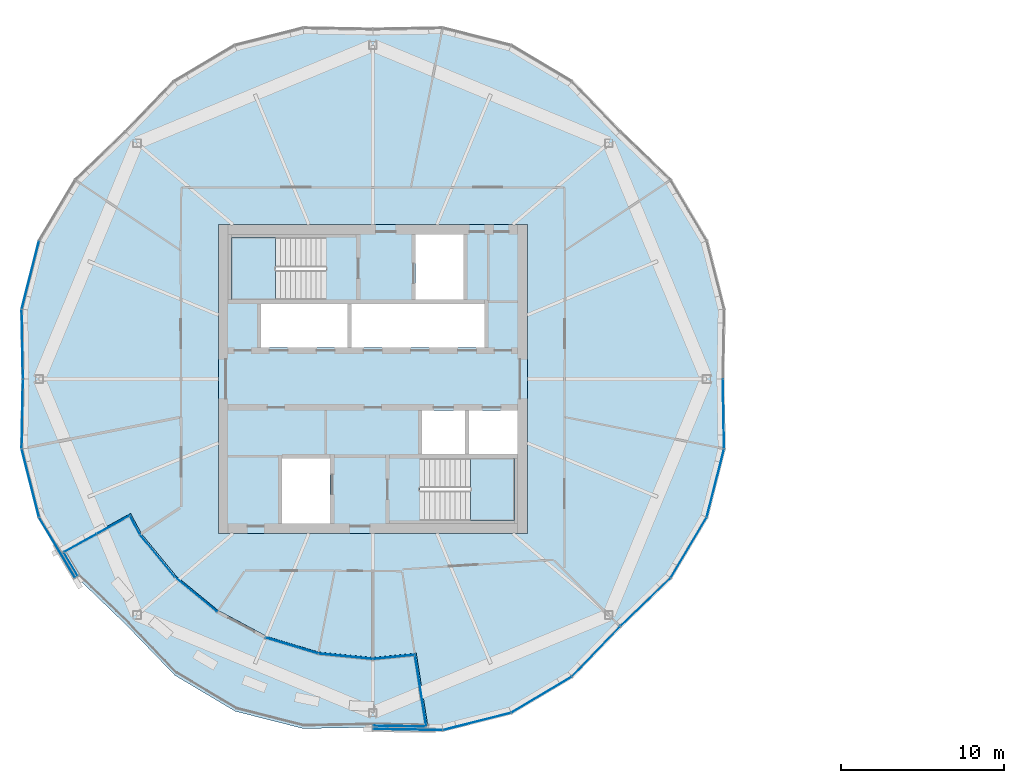
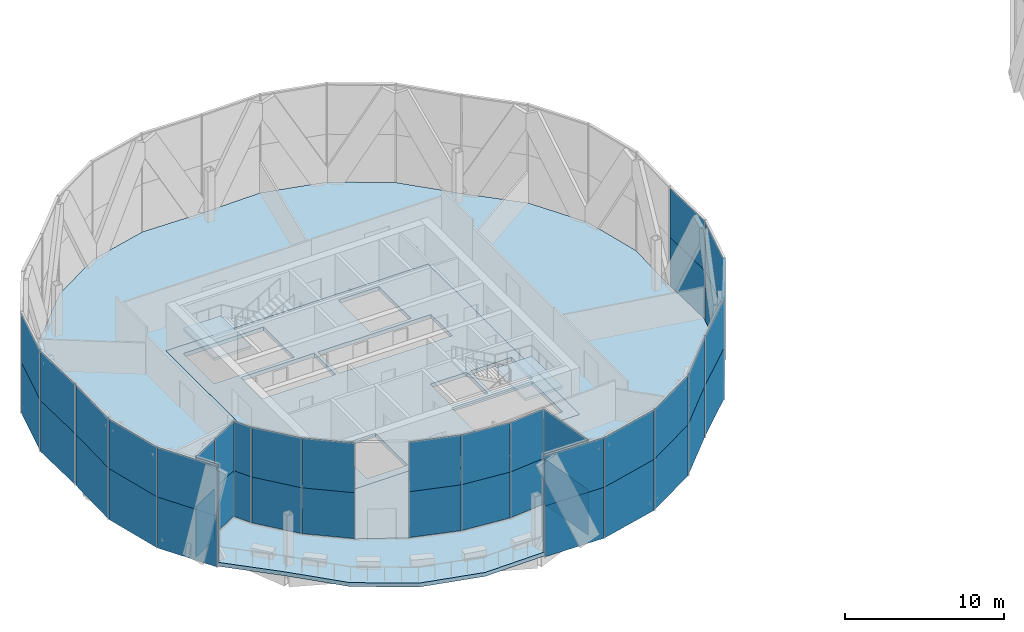
# One storey, part 16 of 27: 48 plates, 5 slabs, 13 elements without a shape of their own.
"""IFC4 building model written with IfcOpenShell, lengths in metres."""

import ifcopenshell
import ifcopenshell.guid

model = None  # the IFC model being written
_history = None  # IfcOwnerHistory: only IFC2X3 demands one
_inside = {}  # id of a spatial element -> (the spatial element, [elements in it])
_under = {}  # id of a project, library or spatial element -> (it, [spatial elements below it])
_declared = {}  # id of a project -> (the project, [libraries it declares])
_typed = {}  # id of a type object -> (the type object, [elements of that type])
_made_of = {}  # id of a material, layer set ... -> (it, [elements and type objects made of it])


def new_model(schema):
    """Start an empty IFC model of exactly this schema.

    Asked for "IFC4X3", IfcOpenShell would pick the latest addendum, in which some entities
    have other attributes; the version numbers below select the first issue.
    IFC2X3 requires an IfcOwnerHistory on every rooted entity: one is made here for all.
    """
    global model, _history
    if schema == "IFC4X3":
        model = ifcopenshell.file(schema_version=(4, 3, 0, 0))
    else:
        model = ifcopenshell.file(schema=schema)
    _inside.clear()
    _under.clear()
    _declared.clear()
    _typed.clear()
    _made_of.clear()
    _history = None
    if model.schema == "IFC2X3":
        org = make("IfcOrganization", Name="unknown")
        user = make(
            "IfcPersonAndOrganization",
            ThePerson=make("IfcPerson", FamilyName="unknown"),
            TheOrganization=org,
        )
        app = make(
            "IfcApplication",
            ApplicationDeveloper=org,
            Version="unknown",
            ApplicationFullName="unknown",
            ApplicationIdentifier="unknown",
        )
        _history = make(
            "IfcOwnerHistory",
            OwningUser=user,
            OwningApplication=app,
            ChangeAction="ADDED",
            CreationDate=0,
        )
    return model


def make(cls, **values):
    """One entity of the class cls with the attributes given. An attribute that is None is left unset."""
    return model.create_entity(
        cls, **{name: value for name, value in values.items() if value is not None}
    )


def rooted(cls, **values):
    """An entity with a GlobalId (a new one), such as an element, a storey or a relation."""
    return make(cls, GlobalId=ifcopenshell.guid.new(), OwnerHistory=_history, **values)


def si_unit(unit_type, name, prefix=None):
    """IfcSIUnit, for example si_unit("LENGTHUNIT", "METRE", prefix="MILLI")."""
    return make("IfcSIUnit", UnitType=unit_type, Prefix=prefix, Name=name)


def assignment(units):
    """IfcUnitAssignment: the units of a project."""
    return None if units is None else make("IfcUnitAssignment", Units=units)


def point(xyz):
    """IfcCartesianPoint."""
    return None if xyz is None else make("IfcCartesianPoint", Coordinates=xyz)


def direction(xyz):
    """IfcDirection."""
    return None if xyz is None else make("IfcDirection", DirectionRatios=xyz)


def frame(location, z_axis=None, x_axis=None):
    """IfcAxis2Placement3D, a coordinate frame: its origin and axes. An axis left out is left unset."""
    return make(
        "IfcAxis2Placement3D",
        Location=point(location),
        Axis=direction(z_axis),
        RefDirection=direction(x_axis),
    )


def frame_2d(location, x_axis=None):
    """IfcAxis2Placement2D, a coordinate frame in the plane: its origin and x axis."""
    return make(
        "IfcAxis2Placement2D", Location=point(location), RefDirection=direction(x_axis)
    )


def origin():
    """The frame at (0, 0, 0) with its axes left unset."""
    return frame((0.0, 0.0, 0.0))


def origin_2d():
    """The frame at (0, 0) in the plane with its x axis left unset."""
    return frame_2d((0.0, 0.0))


def place(relative_to, where):
    """IfcLocalPlacement: puts the frame where relative to a parent placement (None: the world)."""
    return make(
        "IfcLocalPlacement", PlacementRelTo=relative_to, RelativePlacement=where
    )


def context(
    kind, dimensions, precision=None, world=None, true_north=None, identifier=None
):
    """IfcGeometricRepresentationContext, for example the 3D "Model" context."""
    return make(
        "IfcGeometricRepresentationContext",
        ContextIdentifier=identifier,
        ContextType=kind,
        CoordinateSpaceDimension=dimensions,
        Precision=precision,
        WorldCoordinateSystem=world,
        TrueNorth=true_north,
    )


def subcontext(parent, identifier, kind, view, scale=None):
    """IfcGeometricRepresentationSubContext, for example "Body" below "Model"."""
    return make(
        "IfcGeometricRepresentationSubContext",
        ContextIdentifier=identifier,
        ContextType=kind,
        ParentContext=parent,
        TargetScale=scale,
        TargetView=view,
    )


def project(units=None, contexts=None):
    """IfcProject with its units and contexts."""
    return rooted(
        "IfcProject",
        Name="project",
        RepresentationContexts=contexts,
        UnitsInContext=assignment(units),
    )


def spatial(cls, under=None, at=None, **own):
    """A site, building, storey or space (cls), placed at a placement, below another one or the project."""
    s = rooted(cls, ObjectPlacement=at, **own)
    if under is not None:
        _under.setdefault(under.id(), (under, []))[1].append(s)
    return s


def polyline(points):
    """IfcPolyline through the points."""
    return make("IfcPolyline", Points=[point(p) for p in points])


def profile(cls, at=None, kind="AREA", **sizes):
    """A parametric profile (cls). Its sizes go by their IFC names, for example OverallWidth=200.0."""
    return make(cls, ProfileType=kind, Position=at, **sizes)


def rectangle(**sizes):
    """IfcRectangleProfileDef."""
    return profile("IfcRectangleProfileDef", **sizes)


def outline(outer, holes=None, kind="AREA"):
    """IfcArbitraryClosedProfileDef: a profile drawn as a closed curve; with holes, ...WithVoids."""
    if holes is None:
        return make("IfcArbitraryClosedProfileDef", ProfileType=kind, OuterCurve=outer)
    return make(
        "IfcArbitraryProfileDefWithVoids",
        ProfileType=kind,
        OuterCurve=outer,
        InnerCurves=holes,
    )


def extrude(swept, where, along, depth):
    """IfcExtrudedAreaSolid: the profile swept, set in the frame where, extruded along a direction by depth."""
    return make(
        "IfcExtrudedAreaSolid",
        SweptArea=swept,
        Position=where,
        ExtrudedDirection=direction(along),
        Depth=depth,
    )


def shape(context_of_items, identifier, shape_type, items):
    """IfcShapeRepresentation: the items that make up one representation, for example the "Body"."""
    return make(
        "IfcShapeRepresentation",
        ContextOfItems=context_of_items,
        RepresentationIdentifier=identifier,
        RepresentationType=shape_type,
        Items=items,
    )


def material(Name=None, Category=None):
    """IfcMaterial."""
    return make("IfcMaterial", Name=Name, Category=Category)


def layer(
    of_material, thickness, ventilated=None, Name=None, Category=None, Priority=None
):
    """IfcMaterialLayer: one layer of a wall or slab, of a material (None: an air gap)."""
    return make(
        "IfcMaterialLayer",
        Material=of_material,
        LayerThickness=thickness,
        IsVentilated=ventilated,
        Name=Name,
        Category=Category,
        Priority=Priority,
    )


def layer_set(layers, Name=None):
    """IfcMaterialLayerSet."""
    return make("IfcMaterialLayerSet", MaterialLayers=layers, LayerSetName=Name)


def made_of(thing, what):
    """Note that an element or type object is made of a material, layer set ...; save() writes the relation."""
    if what is not None:
        _made_of.setdefault(what.id(), (what, []))[1].append(thing)
    return thing


def type_object(cls, material=None, **own):
    """A type object (cls), such as IfcWallType, which elements share."""
    return made_of(rooted(cls, **own), material)


def element(
    cls,
    number,
    at=None,
    inside=None,
    cuts=None,
    type_object=None,
    material=None,
    context=None,
    identifier="Body",
    shape_type=None,
    held_by="IfcProductDefinitionShape",
    body=None,
    shapes=None,
    **own,
):
    """One element of the class cls, such as IfcWall. Its Tag is "e" and its number.

    at: its placement. inside: the storey or other place that contains it. cuts: it is an
    opening in that element (IfcRelVoidsElement). A single representation is given by context,
    identifier, shape_type and body (its items); several are given by shapes. held_by: the class
    of the entity that holds the representations. save() writes the other relations.
    """
    e = rooted(cls, Tag="e%d" % number, ObjectPlacement=at, **own)
    if body is not None:
        shapes = [shape(context, identifier, shape_type, body)]
    if shapes is not None:
        e.Representation = make(held_by, Representations=shapes)
    if inside is not None:
        _inside.setdefault(inside.id(), (inside, []))[1].append(e)
    if cuts is not None:
        rooted(
            "IfcRelVoidsElement", RelatingBuildingElement=cuts, RelatedOpeningElement=e
        )
    if type_object is not None:
        _typed.setdefault(type_object.id(), (type_object, []))[1].append(e)
    return made_of(e, material)


def aggregate(whole, parts):
    """IfcRelAggregates: a whole, such as a stair, and the parts it consists of."""
    return rooted("IfcRelAggregates", RelatingObject=whole, RelatedObjects=parts)


def save(model, path):
    """Write the relations noted so far, then the file.

    IfcRelAggregates (storeys below a building ...), IfcRelContainedInSpatialStructure (elements
    in a storey), IfcRelDefinesByType, IfcRelAssociatesMaterial and IfcRelDeclares: one each for
    every whole, place, type object, material and project.
    """
    for whole, parts in _under.values():
        aggregate(whole, parts)
    for where, things in _inside.values():
        rooted(
            "IfcRelContainedInSpatialStructure",
            RelatedElements=things,
            RelatingStructure=where,
        )
    for kind, things in _typed.values():
        rooted("IfcRelDefinesByType", RelatedObjects=things, RelatingType=kind)
    for what, things in _made_of.values():
        rooted("IfcRelAssociatesMaterial", RelatedObjects=things, RelatingMaterial=what)
    for by, libraries in _declared.values():
        rooted("IfcRelDeclares", RelatingContext=by, RelatedDefinitions=libraries)
    model.write(path)


model = new_model("IFC4")

# Units and contexts
model_context = context("Model", 3, precision=1e-05, world=origin(), true_north=direction((0.0, 1.0)))
body_context = subcontext(model_context, "Body", "Model", "MODEL_VIEW")
ifc_project = project(units=[si_unit("LENGTHUNIT", "METRE"), si_unit("AREAUNIT", "SQUARE_METRE"), si_unit("VOLUMEUNIT", "CUBIC_METRE"), si_unit("PLANEANGLEUNIT", "RADIAN"), si_unit("MASSUNIT", "GRAM", prefix="KILO")], contexts=[model_context])

# Site, building, storey
site_placement = place(None, origin())
site = spatial("IfcSite", under=ifc_project, at=site_placement, CompositionType="ELEMENT")
building_placement = place(site_placement, origin())
building = spatial("IfcBuilding", under=site, at=building_placement, Name="Ogive Gate Towers", CompositionType="ELEMENT")
storey_placement = place(building_placement, frame((0.0, 0.0, 189.0)))
storey = spatial("IfcBuildingStorey", under=building, at=storey_placement, Name="L45", CompositionType="ELEMENT", Elevation=189.0)

# Slabs
ifc_material_1 = material(Name="Concrete C40/50", Category="concrete")
ifc_layer_1 = layer(ifc_material_1, 0.300048828125)
ifc_layer_set_1 = layer_set([ifc_layer_1], Name="Core slab C40/50 300 mm")
slab_type_1 = type_object("IfcSlabType", Name="Core slab C40/50 300 mm", PredefinedType="FLOOR", material=ifc_layer_set_1)
slab_1_placement = place(storey_placement, frame((0.0, 0.0, -0.300048828125)))
element("IfcSlab", 1, at=slab_1_placement, inside=storey, type_object=slab_type_1, Name="T1 L45 core slab", PredefinedType="FLOOR", context=body_context, shape_type="SweptSolid", body=[
    extrude(outline(polyline([(-45.5, -9.5), (-45.5, 9.5), (-26.5, 9.5), (-26.5, -9.5), (-45.5, -9.5)]), holes=[polyline([(-42.875, 1.949951171875), (-37.574951171875, 1.949951171875), (-37.574951171875, 4.625), (-42.875, 4.625), (-42.875, 1.949951171875)]), polyline([(-37.324951171875, 4.625), (-37.324951171875, 1.949951171875), (-29.125, 1.949951171875), (-29.125, 4.625), (-37.324951171875, 4.625)]), polyline([(-30.324951171875, -1.949951171875), (-32.97509765625, -1.949951171875), (-32.97509765625, -4.625), (-30.324951171875, -4.625), (-30.324951171875, -1.949951171875)]), polyline([(-27.10009765625, -4.625), (-27.10009765625, -1.949951171875), (-30.074951171875, -1.949951171875), (-30.074951171875, -4.625), (-27.10009765625, -4.625)]), polyline([(-33.375, 4.875), (-30.425048828125, 4.875), (-30.425048828125, 8.89990234375), (-33.375, 8.89990234375), (-33.375, 4.875)]), polyline([(-41.574951171875, -4.875), (-41.574951171875, -8.89990234375), (-38.625, -8.89990234375), (-38.625, -4.875), (-41.574951171875, -4.875)]), polyline([(-44.699951171875, 4.875), (-38.885009765625, 4.875), (-38.885009765625, 8.699951171875), (-44.699951171875, 8.699951171875), (-44.699951171875, 4.875)]), polyline([(-27.300048828125, -8.699951171875), (-27.300048828125, -4.875), (-33.114990234375, -4.875), (-33.114990234375, -8.699951171875), (-27.300048828125, -8.699951171875)])]), origin(), (0.0, 0.0, 1.0), 0.300048828125),
])
ifc_material_2 = material(Name="Concrete C35/45", Category="concrete")
ifc_layer_2 = layer(ifc_material_2, 0.300048828125)
ifc_layer_set_2 = layer_set([ifc_layer_2], Name="Floor slab 300")
slab_type_2 = type_object("IfcSlabType", Name="Floor slab 300", PredefinedType="FLOOR", material=ifc_layer_set_2)
slab_2_placement = place(storey_placement, frame((0.0, 0.0, -0.300048828125)))
element("IfcSlab", 2, at=slab_2_placement, inside=storey, type_object=slab_type_2, Name="T1/L45/SSL001", PredefinedType="FLOOR", context=body_context, shape_type="SweptSolid", body=[
    extrude(outline(polyline([(-57.498779296875, -4.2763671875), (-56.436279296875, -8.46484375), (-54.225830078125, -12.177978515625), (-55.15478515625, -10.61767578125), (-50.903076171875, -8.260986328125), (-50.23486328125, -9.511474609375), (-48.105712890625, -12.105712890625), (-45.511474609375, -14.23486328125), (-42.551513671875, -15.81689453125), (-39.33984375, -16.791015625), (-36.0, -17.1201171875), (-33.330078125, -16.85693359375), (-32.597412109375, -21.482666015625), (-36.0, -21.419921875), (-31.7236328125, -21.498779296875), (-27.53515625, -20.436279296875), (-23.822021484375, -18.225830078125), (-20.853759765625, -15.146240234375), (-17.774169921875, -12.177978515625), (-15.563720703125, -8.46484375), (-14.501220703125, -4.2763671875), (-14.580078125, 0.0), (-14.501220703125, 4.2763671875), (-15.563720703125, 8.46484375), (-17.774169921875, 12.177978515625), (-20.853759765625, 15.146240234375), (-23.822021484375, 18.225830078125), (-27.53515625, 20.436279296875), (-31.7236328125, 21.498779296875), (-36.0, 21.419921875), (-40.2763671875, 21.498779296875), (-44.46484375, 20.436279296875), (-48.177978515625, 18.225830078125), (-51.146240234375, 15.146240234375), (-54.225830078125, 12.177978515625), (-56.436279296875, 8.46484375), (-57.498779296875, 4.2763671875), (-57.419921875, 0.0), (-57.498779296875, -4.2763671875)]), holes=[polyline([(-26.5, -9.5), (-45.5, -9.5), (-45.5, 9.5), (-26.5, 9.5), (-26.5, -9.5)])]), origin(), (0.0, 0.0, 1.0), 0.300048828125),
])

# Curtain wall, plates
ifc_material_3 = material(Name="Pale metal aluminium", Category="aluminium")
curtain_wall_type_1 = type_object("IfcCurtainWallType", Name="Sky garden glazing", PredefinedType="NOTDEFINED", material=ifc_material_3)
curtain_wall_1_placement = place(storey_placement, origin())
curtain_wall_1 = element("IfcCurtainWall", 3, at=curtain_wall_1_placement, inside=storey, type_object=curtain_wall_type_1, Name="CW4 T1 ECW01", PredefinedType="NOTDEFINED")
ifc_material_4 = material(Name="Clear glass", Category="glass")
ifc_layer_3 = layer(ifc_material_4, 0.028076171875)
ifc_layer_set_3 = layer_set([ifc_layer_3], Name="Sky garden glazing glass panel")
plate_type_1 = type_object("IfcPlateType", Name="Sky garden glazing glass panel", PredefinedType="CURTAIN_PANEL", material=ifc_layer_set_3)
plate_1_placement = place(storey_placement, frame((-49.246337890625, -10.873291015625, 0.095947265625), z_axis=(0.0, 0.0, 1.0), x_axis=(-0.634406775645, 0.772999380993, 0.0)))
plate_1 = element("IfcPlate", 4, at=plate_1_placement, type_object=plate_type_1, Name="CW4 glass panel", PredefinedType="CURTAIN_PANEL", context=body_context, shape_type="SweptSolid", body=[
    extrude(rectangle(XDim=3.328369140625, YDim=0.028076171875, at=origin_2d()), origin(), (0.0, 0.0, 1.0), 3.50390625),
])
plate_2_placement = place(storey_placement, frame((-49.246337890625, -10.873291015625, 3.60009765625), z_axis=(0.0, 0.0, 1.0), x_axis=(-0.634406775645, 0.772999380993, 0.0)))
plate_2 = element("IfcPlate", 5, at=plate_2_placement, type_object=plate_type_1, Name="CW4 glass panel", PredefinedType="CURTAIN_PANEL", context=body_context, shape_type="SweptSolid", body=[
    extrude(rectangle(XDim=3.328369140625, YDim=0.028076171875, at=origin_2d()), origin(), (0.0, 0.0, 1.0), 3.803955078125),
])
plate_3_placement = place(storey_placement, frame((-50.6279296875, -8.988037109375, 0.095947265625), z_axis=(0.0, 0.0, 1.0), x_axis=(-0.471412129184, 0.881913036789, 0.0)))
plate_3 = element("IfcPlate", 6, at=plate_3_placement, type_object=plate_type_1, Name="CW4 glass panel", PredefinedType="CURTAIN_PANEL", context=body_context, shape_type="SweptSolid", body=[
    extrude(rectangle(XDim=1.2626953125, YDim=0.028076171875, at=origin_2d()), origin(), (0.0, 0.0, 1.0), 3.50390625),
])
plate_4_placement = place(storey_placement, frame((-50.6279296875, -8.988037109375, 3.60009765625), z_axis=(0.0, 0.0, 1.0), x_axis=(-0.471412129184, 0.881913036789, 0.0)))
plate_4 = element("IfcPlate", 7, at=plate_4_placement, type_object=plate_type_1, Name="CW4 glass panel", PredefinedType="CURTAIN_PANEL", context=body_context, shape_type="SweptSolid", body=[
    extrude(rectangle(XDim=1.2626953125, YDim=0.028076171875, at=origin_2d()), origin(), (0.0, 0.0, 1.0), 3.803955078125),
])
plate_5_placement = place(storey_placement, frame((-51.96875, -8.9658203125, 0.095947265625), z_axis=(0.0, 0.0, 1.0), x_axis=(-0.874611245482, -0.484824885166, 0.0)))
plate_5 = element("IfcPlate", 8, at=plate_5_placement, type_object=plate_type_1, Name="CW4 glass panel", PredefinedType="CURTAIN_PANEL", context=body_context, shape_type="SweptSolid", body=[
    extrude(rectangle(XDim=2.26806640625, YDim=0.028076171875, at=origin_2d()), origin(), (0.0, 0.0, 1.0), 3.50390625),
])
plate_6_placement = place(storey_placement, frame((-51.96875, -8.9658203125, 3.60009765625), z_axis=(0.0, 0.0, 1.0), x_axis=(-0.874611245482, -0.484824885166, 0.0)))
plate_6 = element("IfcPlate", 9, at=plate_6_placement, type_object=plate_type_1, Name="CW4 glass panel", PredefinedType="CURTAIN_PANEL", context=body_context, shape_type="SweptSolid", body=[
    extrude(rectangle(XDim=2.26806640625, YDim=0.028076171875, at=origin_2d()), origin(), (0.0, 0.0, 1.0), 3.803955078125),
])
aggregate(curtain_wall_1, [plate_1, plate_2, plate_3, plate_4, plate_5, plate_6])

curtain_wall_2_placement = place(storey_placement, origin())
curtain_wall_2 = element("IfcCurtainWall", 10, at=curtain_wall_2_placement, inside=storey, type_object=curtain_wall_type_1, Name="CW4 T1 ECW02", PredefinedType="NOTDEFINED")
plate_7_placement = place(storey_placement, frame((-37.677978515625, -17.05517578125, 0.095947265625), z_axis=(0.0, 0.0, 1.0), x_axis=(-0.995184726672, 0.09801714033, 0.0)))
plate_7 = element("IfcPlate", 11, at=plate_7_placement, type_object=plate_type_1, Name="CW4 glass panel", PredefinedType="CURTAIN_PANEL", context=body_context, shape_type="SweptSolid", body=[
    extrude(rectangle(XDim=3.328369140625, YDim=0.028076171875, at=origin_2d()), origin(), (0.0, 0.0, 1.0), 3.50390625),
])
plate_8_placement = place(storey_placement, frame((-37.677978515625, -17.05517578125, 3.60009765625), z_axis=(0.0, 0.0, 1.0), x_axis=(-0.995184726672, 0.09801714033, 0.0)))
plate_8 = element("IfcPlate", 12, at=plate_8_placement, type_object=plate_type_1, Name="CW4 glass panel", PredefinedType="CURTAIN_PANEL", context=body_context, shape_type="SweptSolid", body=[
    extrude(rectangle(XDim=3.328369140625, YDim=0.028076171875, at=origin_2d()), origin(), (0.0, 0.0, 1.0), 3.803955078125),
])
plate_9_placement = place(storey_placement, frame((-40.976318359375, -16.399169921875, 0.095947265625), z_axis=(0.0, 0.0, 1.0), x_axis=(-0.95694540201, 0.290267975451, 0.0)))
plate_9 = element("IfcPlate", 13, at=plate_9_placement, type_object=plate_type_1, Name="CW4 glass panel", PredefinedType="CURTAIN_PANEL", context=body_context, shape_type="SweptSolid", body=[
    extrude(rectangle(XDim=3.32861328125, YDim=0.028076171875, at=origin_2d()), origin(), (0.0, 0.0, 1.0), 3.50390625),
])
plate_10_placement = place(storey_placement, frame((-40.976318359375, -16.399169921875, 3.60009765625), z_axis=(0.0, 0.0, 1.0), x_axis=(-0.95694540201, 0.290267975451, 0.0)))
plate_10 = element("IfcPlate", 14, at=plate_10_placement, type_object=plate_type_1, Name="CW4 glass panel", PredefinedType="CURTAIN_PANEL", context=body_context, shape_type="SweptSolid", body=[
    extrude(rectangle(XDim=3.32861328125, YDim=0.028076171875, at=origin_2d()), origin(), (0.0, 0.0, 1.0), 3.803955078125),
])
aggregate(curtain_wall_2, [plate_7, plate_8, plate_9, plate_10])

curtain_wall_3_placement = place(storey_placement, origin())
curtain_wall_3 = element("IfcCurtainWall", 15, at=curtain_wall_3_placement, inside=storey, type_object=curtain_wall_type_1, Name="CW4 T1 ECW02b", PredefinedType="NOTDEFINED")
plate_11_placement = place(storey_placement, frame((-46.871826171875, -13.24755859375, 0.095947265625), z_axis=(0.0, 0.0, 1.0), x_axis=(-0.772999380993, 0.634406775645, 0.0)))
plate_11 = element("IfcPlate", 16, at=plate_11_placement, type_object=plate_type_1, Name="CW4 glass panel", PredefinedType="CURTAIN_PANEL", context=body_context, shape_type="SweptSolid", body=[
    extrude(rectangle(XDim=3.331787109375, YDim=0.028076171875, at=origin_2d()), origin(), (0.0, 0.0, 1.0), 3.50390625),
])
plate_12_placement = place(storey_placement, frame((-46.871826171875, -13.24755859375, 3.60009765625), z_axis=(0.0, 0.0, 1.0), x_axis=(-0.772999380993, 0.634406775645, 0.0)))
plate_12 = element("IfcPlate", 17, at=plate_12_placement, type_object=plate_type_1, Name="CW4 glass panel", PredefinedType="CURTAIN_PANEL", context=body_context, shape_type="SweptSolid", body=[
    extrude(rectangle(XDim=3.331787109375, YDim=0.028076171875, at=origin_2d()), origin(), (0.0, 0.0, 1.0), 3.803955078125),
])
aggregate(curtain_wall_3, [plate_11, plate_12])

curtain_wall_4_placement = place(storey_placement, origin())
curtain_wall_4 = element("IfcCurtainWall", 18, at=curtain_wall_4_placement, inside=storey, type_object=curtain_wall_type_1, Name="CW4 T1 ECW03", PredefinedType="NOTDEFINED")
plate_13_placement = place(storey_placement, frame((-33.063232421875, -19.1806640625, 0.095947265625), z_axis=(0.0, 0.0, 1.0), x_axis=(-0.15643446504, 0.987688340595, 0.0)))
plate_13 = element("IfcPlate", 19, at=plate_13_placement, type_object=plate_type_1, Name="CW4 glass panel", PredefinedType="CURTAIN_PANEL", context=body_context, shape_type="SweptSolid", body=[
    extrude(rectangle(XDim=4.410400390625, YDim=0.028076171875, at=origin_2d()), origin(), (0.0, 0.0, 1.0), 3.50390625),
])
plate_14_placement = place(storey_placement, frame((-33.063232421875, -19.1806640625, 3.60009765625), z_axis=(0.0, 0.0, 1.0), x_axis=(-0.15643446504, 0.987688340595, 0.0)))
plate_14 = element("IfcPlate", 20, at=plate_14_placement, type_object=plate_type_1, Name="CW4 glass panel", PredefinedType="CURTAIN_PANEL", context=body_context, shape_type="SweptSolid", body=[
    extrude(rectangle(XDim=4.410400390625, YDim=0.028076171875, at=origin_2d()), origin(), (0.0, 0.0, 1.0), 3.803955078125),
])
plate_15_placement = place(storey_placement, frame((-34.714599609375, -17.093994140625, 0.095947265625), z_axis=(0.0, 0.0, 1.0), x_axis=(-0.995184726672, -0.09801714033, 0.0)))
plate_15 = element("IfcPlate", 21, at=plate_15_placement, type_object=plate_type_1, Name="CW4 glass panel", PredefinedType="CURTAIN_PANEL", context=body_context, shape_type="SweptSolid", body=[
    extrude(rectangle(XDim=2.539306640625, YDim=0.028076171875, at=origin_2d()), origin(), (0.0, 0.0, 1.0), 3.50390625),
])
plate_16_placement = place(storey_placement, frame((-34.714599609375, -17.093994140625, 3.60009765625), z_axis=(0.0, 0.0, 1.0), x_axis=(-0.995184726672, -0.09801714033, 0.0)))
plate_16 = element("IfcPlate", 22, at=plate_16_placement, type_object=plate_type_1, Name="CW4 glass panel", PredefinedType="CURTAIN_PANEL", context=body_context, shape_type="SweptSolid", body=[
    extrude(rectangle(XDim=2.539306640625, YDim=0.028076171875, at=origin_2d()), origin(), (0.0, 0.0, 1.0), 3.803955078125),
])
aggregate(curtain_wall_4, [plate_13, plate_14, plate_15, plate_16])

# Stair, slab
stair_type = type_object("IfcStairType", Name="Escape stair 1840 wide", PredefinedType="HALF_TURN_STAIR", material=ifc_material_1)
stair_1_placement = place(storey_placement, origin())
stair_1 = element("IfcStair", 23, at=stair_1_placement, inside=storey, type_object=stair_type, Name="L45 Escape stair 1", PredefinedType="HALF_TURN_STAIR")
ifc_layer_4 = layer(ifc_material_1, 0.199951171875)
ifc_layer_set_4 = layer_set([ifc_layer_4], Name="Stair landing 200 mm")
slab_type_3 = type_object("IfcSlabType", Name="Stair landing 200 mm", PredefinedType="LANDING", material=ifc_layer_set_4)
slab_3_placement = place(storey_placement, frame((0.0, 0.0, 1.75)))
slab_3 = element("IfcSlab", 24, at=slab_3_placement, type_object=slab_type_3, Name="ST1 landing 1", PredefinedType="LANDING", context=body_context, shape_type="SweptSolid", body=[
    extrude(outline(polyline([(-42.00146484375, 8.699951171875), (-44.699951171875, 8.699951171875), (-44.699951171875, 4.875), (-42.00146484375, 4.875), (-42.00146484375, 8.699951171875)])), origin(), (0.0, 0.0, 1.0), 0.199951171875),
])
aggregate(stair_1, [slab_3])

stair_2_placement = place(storey_placement, origin())
stair_2 = element("IfcStair", 25, at=stair_2_placement, inside=storey, type_object=stair_type, Name="L45 Escape stair 2", PredefinedType="HALF_TURN_STAIR")
slab_4_placement = place(storey_placement, frame((0.0, 0.0, 1.75)))
slab_4 = element("IfcSlab", 26, at=slab_4_placement, type_object=slab_type_3, Name="ST2 landing 1", PredefinedType="LANDING", context=body_context, shape_type="SweptSolid", body=[
    extrude(outline(polyline([(-29.99853515625, -8.699951171875), (-27.300048828125, -8.699951171875), (-27.300048828125, -4.875), (-29.99853515625, -4.875), (-29.99853515625, -8.699951171875)])), origin(), (0.0, 0.0, 1.0), 0.199951171875),
])
aggregate(stair_2, [slab_4])

# Slab
ifc_layer_5 = layer(ifc_material_2, 0.300048828125)
ifc_layer_set_5 = layer_set([ifc_layer_5], Name="Terrace slab 300")
slab_type_4 = type_object("IfcSlabType", Name="Terrace slab 300", PredefinedType="FLOOR", material=ifc_layer_set_5)
slab_5_placement = place(storey_placement, frame((0.0, 0.0, -0.300048828125)))
element("IfcSlab", 27, at=slab_5_placement, inside=storey, type_object=slab_type_4, Name="T1/L45/SSL002", PredefinedType="FLOOR", context=body_context, shape_type="SweptSolid", body=[
    extrude(outline(polyline([(-50.903076171875, -8.260986328125), (-55.15478515625, -10.61767578125), (-54.225830078125, -12.177978515625), (-51.146240234375, -15.146240234375), (-48.177978515625, -18.225830078125), (-44.46484375, -20.436279296875), (-40.2763671875, -21.498779296875), (-36.0, -21.419921875), (-32.597412109375, -21.482666015625), (-33.330078125, -16.85693359375), (-36.0, -17.1201171875), (-39.33984375, -16.791015625), (-42.551513671875, -15.81689453125), (-45.511474609375, -14.23486328125), (-48.105712890625, -12.105712890625), (-50.23486328125, -9.511474609375), (-50.903076171875, -8.260986328125)])), origin(), (0.0, 0.0, 1.0), 0.300048828125),
])

# Curtain wall, plates
curtain_wall_type_2 = type_object("IfcCurtainWallType", Name="Tower unitised wall, high zone", PredefinedType="NOTDEFINED", material=ifc_material_3)
curtain_wall_5_placement = place(storey_placement, origin())
curtain_wall_5 = element("IfcCurtainWall", 28, at=curtain_wall_5_placement, inside=storey, type_object=curtain_wall_type_2, Name="CW2 T1 ECW07", PredefinedType="NOTDEFINED")
ifc_layer_6 = layer(ifc_material_4, 0.028076171875)
ifc_layer_set_6 = layer_set([ifc_layer_6], Name="Tower unitised wall, high zone glass panel")
plate_type_2 = type_object("IfcPlateType", Name="Tower unitised wall, high zone glass panel", PredefinedType="CURTAIN_PANEL", material=ifc_layer_set_6)
plate_17_placement = place(storey_placement, frame((-57.5595703125, 2.14208984375, -0.300048828125), z_axis=(0.0, 0.0, 1.0), x_axis=(-0.018412183135, 0.999830481388, 0.0)))
plate_17 = element("IfcPlate", 29, at=plate_17_placement, type_object=plate_type_2, Name="CW2 glass panel", PredefinedType="CURTAIN_PANEL", context=body_context, shape_type="SweptSolid", body=[
    extrude(rectangle(XDim=4.230712890625, YDim=0.028076171875, at=origin_2d()), origin(), (0.0, 0.0, 1.0), 3.89990234375),
])
plate_18_placement = place(storey_placement, frame((-57.5595703125, 2.14208984375, 3.60009765625), z_axis=(0.0, 0.0, 1.0), x_axis=(-0.018412183135, 0.999830481388, 0.0)))
plate_18 = element("IfcPlate", 30, at=plate_18_placement, type_object=plate_type_2, Name="CW2 glass panel", PredefinedType="CURTAIN_PANEL", context=body_context, shape_type="SweptSolid", body=[
    extrude(rectangle(XDim=4.230712890625, YDim=0.028076171875, at=origin_2d()), origin(), (0.0, 0.0, 1.0), 3.803955078125),
])
plate_19_placement = place(storey_placement, frame((-57.064208984375, 6.395751953125, -0.300048828125), z_axis=(0.0, 0.0, 1.0), x_axis=(0.245882623105, 0.969299610881, 0.0)))
plate_19 = element("IfcPlate", 31, at=plate_19_placement, type_object=plate_type_2, Name="CW2 glass panel", PredefinedType="CURTAIN_PANEL", context=body_context, shape_type="SweptSolid", body=[
    extrude(rectangle(XDim=4.287109375, YDim=0.028076171875, at=origin_2d()), origin(), (0.0, 0.0, 1.0), 3.89990234375),
])
plate_20_placement = place(storey_placement, frame((-57.064208984375, 6.395751953125, 3.60009765625), z_axis=(0.0, 0.0, 1.0), x_axis=(0.245882623105, 0.969299610881, 0.0)))
plate_20 = element("IfcPlate", 32, at=plate_20_placement, type_object=plate_type_2, Name="CW2 glass panel", PredefinedType="CURTAIN_PANEL", context=body_context, shape_type="SweptSolid", body=[
    extrude(rectangle(XDim=4.287109375, YDim=0.028076171875, at=origin_2d()), origin(), (0.0, 0.0, 1.0), 3.803955078125),
])
aggregate(curtain_wall_5, [plate_17, plate_18, plate_19, plate_20])

curtain_wall_6_placement = place(storey_placement, origin())
curtain_wall_6 = element("IfcCurtainWall", 33, at=curtain_wall_6_placement, inside=storey, type_object=curtain_wall_type_2, Name="CW2 T1 ECW08", PredefinedType="NOTDEFINED")
plate_21_placement = place(storey_placement, frame((-57.063720703125, -6.397705078125, -0.300048828125), z_axis=(0.0, 0.0, 1.0), x_axis=(-0.245882623105, 0.969299610881, 0.0)))
plate_21 = element("IfcPlate", 34, at=plate_21_placement, type_object=plate_type_2, Name="CW2 glass panel", PredefinedType="CURTAIN_PANEL", context=body_context, shape_type="SweptSolid", body=[
    extrude(rectangle(XDim=4.291259765625, YDim=0.028076171875, at=origin_2d()), origin(), (0.0, 0.0, 1.0), 3.89990234375),
])
plate_22_placement = place(storey_placement, frame((-57.063720703125, -6.397705078125, 3.60009765625), z_axis=(0.0, 0.0, 1.0), x_axis=(-0.245882623105, 0.969299610881, 0.0)))
plate_22 = element("IfcPlate", 35, at=plate_22_placement, type_object=plate_type_2, Name="CW2 glass panel", PredefinedType="CURTAIN_PANEL", context=body_context, shape_type="SweptSolid", body=[
    extrude(rectangle(XDim=4.291259765625, YDim=0.028076171875, at=origin_2d()), origin(), (0.0, 0.0, 1.0), 3.803955078125),
])
plate_23_placement = place(storey_placement, frame((-57.5595703125, -2.14208984375, -0.300048828125), z_axis=(0.0, 0.0, 1.0), x_axis=(0.018412183135, 0.999830481388, 0.0)))
plate_23 = element("IfcPlate", 36, at=plate_23_placement, type_object=plate_type_2, Name="CW2 glass panel", PredefinedType="CURTAIN_PANEL", context=body_context, shape_type="SweptSolid", body=[
    extrude(rectangle(XDim=4.230712890625, YDim=0.028076171875, at=origin_2d()), origin(), (0.0, 0.0, 1.0), 3.89990234375),
])
plate_24_placement = place(storey_placement, frame((-57.5595703125, -2.14208984375, 3.60009765625), z_axis=(0.0, 0.0, 1.0), x_axis=(0.018412183135, 0.999830481388, 0.0)))
plate_24 = element("IfcPlate", 37, at=plate_24_placement, type_object=plate_type_2, Name="CW2 glass panel", PredefinedType="CURTAIN_PANEL", context=body_context, shape_type="SweptSolid", body=[
    extrude(rectangle(XDim=4.230712890625, YDim=0.028076171875, at=origin_2d()), origin(), (0.0, 0.0, 1.0), 3.803955078125),
])
aggregate(curtain_wall_6, [plate_21, plate_22, plate_23, plate_24])

curtain_wall_7_placement = place(storey_placement, origin())
curtain_wall_7 = element("IfcCurtainWall", 38, at=curtain_wall_7_placement, inside=storey, type_object=curtain_wall_type_2, Name="CW2 T1 ECW08b", PredefinedType="NOTDEFINED")
plate_25_placement = place(storey_placement, frame((-53.99072265625, -10.0869140625, -0.300048828125), z_axis=(0.0, 0.0, 1.0), x_axis=(-0.87462816853, -0.484794355179, 0.0)))
plate_25 = element("IfcPlate", 39, at=plate_25_placement, type_object=plate_type_2, Name="CW2 glass panel", PredefinedType="CURTAIN_PANEL", context=body_context, shape_type="SweptSolid", body=[
    extrude(rectangle(XDim=2.2578125, YDim=0.028076171875, at=origin_2d()), origin(), (0.0, 0.0, 1.0), 3.89990234375),
])
plate_26_placement = place(storey_placement, frame((-53.99072265625, -10.0869140625, 3.60009765625), z_axis=(0.0, 0.0, 1.0), x_axis=(-0.87462816853, -0.484794355179, 0.0)))
plate_26 = element("IfcPlate", 40, at=plate_26_placement, type_object=plate_type_2, Name="CW2 glass panel", PredefinedType="CURTAIN_PANEL", context=body_context, shape_type="SweptSolid", body=[
    extrude(rectangle(XDim=2.2578125, YDim=0.028076171875, at=origin_2d()), origin(), (0.0, 0.0, 1.0), 3.803955078125),
])
plate_27_placement = place(storey_placement, frame((-54.57373046875, -11.398193359375, -0.300048828125), z_axis=(0.0, 0.0, 1.0), x_axis=(0.511533057682, -0.859263598029, 0.0)))
plate_27 = element("IfcPlate", 41, at=plate_27_placement, type_object=plate_type_2, Name="CW2 glass panel", PredefinedType="CURTAIN_PANEL", context=body_context, shape_type="SweptSolid", body=[
    extrude(rectangle(XDim=1.642333984375, YDim=0.028076171875, at=origin_2d()), origin(), (0.0, 0.0, 1.0), 3.89990234375),
])
plate_28_placement = place(storey_placement, frame((-54.57373046875, -11.398193359375, 3.60009765625), z_axis=(0.0, 0.0, 1.0), x_axis=(0.511533057682, -0.859263598029, 0.0)))
plate_28 = element("IfcPlate", 42, at=plate_28_placement, type_object=plate_type_2, Name="CW2 glass panel", PredefinedType="CURTAIN_PANEL", context=body_context, shape_type="SweptSolid", body=[
    extrude(rectangle(XDim=1.642333984375, YDim=0.028076171875, at=origin_2d()), origin(), (0.0, 0.0, 1.0), 3.803955078125),
])
aggregate(curtain_wall_7, [plate_25, plate_26, plate_27, plate_28])

curtain_wall_8_placement = place(storey_placement, origin())
curtain_wall_8 = element("IfcCurtainWall", 43, at=curtain_wall_8_placement, inside=storey, type_object=curtain_wall_type_2, Name="CW2 T1 ECW08c", PredefinedType="NOTDEFINED")
plate_29_placement = place(storey_placement, frame((-55.420654296875, -10.366455078125, -0.300048828125), z_axis=(0.0, 0.0, 1.0), x_axis=(-0.511518060625, 0.859272525835, 0.0)))
plate_29 = element("IfcPlate", 44, at=plate_29_placement, type_object=plate_type_2, Name="CW2 glass panel", PredefinedType="CURTAIN_PANEL", context=body_context, shape_type="SweptSolid", body=[
    extrude(rectangle(XDim=4.281982421875, YDim=0.028076171875, at=origin_2d()), origin(), (0.0, 0.0, 1.0), 3.89990234375),
])
plate_30_placement = place(storey_placement, frame((-55.420654296875, -10.366455078125, 3.60009765625), z_axis=(0.0, 0.0, 1.0), x_axis=(-0.511518060625, 0.859272525835, 0.0)))
plate_30 = element("IfcPlate", 45, at=plate_30_placement, type_object=plate_type_2, Name="CW2 glass panel", PredefinedType="CURTAIN_PANEL", context=body_context, shape_type="SweptSolid", body=[
    extrude(rectangle(XDim=4.281982421875, YDim=0.028076171875, at=origin_2d()), origin(), (0.0, 0.0, 1.0), 3.803955078125),
])
aggregate(curtain_wall_8, [plate_29, plate_30])

curtain_wall_9_placement = place(storey_placement, origin())
curtain_wall_9 = element("IfcCurtainWall", 46, at=curtain_wall_9_placement, inside=storey, type_object=curtain_wall_type_2, Name="CW2 T1 ECW09", PredefinedType="NOTDEFINED")
plate_31_placement = place(storey_placement, frame((-22.269775390625, -16.759521484375, -0.300048828125), z_axis=(0.0, 0.0, 1.0), x_axis=(-0.693942400491, -0.720030516576, 0.0)))
plate_31 = element("IfcPlate", 47, at=plate_31_placement, type_object=plate_type_2, Name="CW2 glass panel", PredefinedType="CURTAIN_PANEL", context=body_context, shape_type="SweptSolid", body=[
    extrude(rectangle(XDim=4.230712890625, YDim=0.028076171875, at=origin_2d()), origin(), (0.0, 0.0, 1.0), 3.89990234375),
])
plate_32_placement = place(storey_placement, frame((-22.269775390625, -16.759521484375, 3.60009765625), z_axis=(0.0, 0.0, 1.0), x_axis=(-0.693942400491, -0.720030516576, 0.0)))
plate_32 = element("IfcPlate", 48, at=plate_32_placement, type_object=plate_type_2, Name="CW2 glass panel", PredefinedType="CURTAIN_PANEL", context=body_context, shape_type="SweptSolid", body=[
    extrude(rectangle(XDim=4.230712890625, YDim=0.028076171875, at=origin_2d()), origin(), (0.0, 0.0, 1.0), 3.803955078125),
])
plate_33_placement = place(storey_placement, frame((-25.627685546875, -19.417236328125, -0.300048828125), z_axis=(0.0, 0.0, 1.0), x_axis=(-0.859272525835, -0.511518060625, 0.0)))
plate_33 = element("IfcPlate", 49, at=plate_33_placement, type_object=plate_type_2, Name="CW2 glass panel", PredefinedType="CURTAIN_PANEL", context=body_context, shape_type="SweptSolid", body=[
    extrude(rectangle(XDim=4.287353515625, YDim=0.028076171875, at=origin_2d()), origin(), (0.0, 0.0, 1.0), 3.89990234375),
])
plate_34_placement = place(storey_placement, frame((-25.627685546875, -19.417236328125, 3.60009765625), z_axis=(0.0, 0.0, 1.0), x_axis=(-0.859272525835, -0.511518060625, 0.0)))
plate_34 = element("IfcPlate", 50, at=plate_34_placement, type_object=plate_type_2, Name="CW2 glass panel", PredefinedType="CURTAIN_PANEL", context=body_context, shape_type="SweptSolid", body=[
    extrude(rectangle(XDim=4.287353515625, YDim=0.028076171875, at=origin_2d()), origin(), (0.0, 0.0, 1.0), 3.803955078125),
])
plate_35_placement = place(storey_placement, frame((-29.604248046875, -21.064208984375, -0.300048828125), z_axis=(0.0, 0.0, 1.0), x_axis=(-0.969299610881, -0.245882623105, 0.0)))
plate_35 = element("IfcPlate", 51, at=plate_35_placement, type_object=plate_type_2, Name="CW2 glass panel", PredefinedType="CURTAIN_PANEL", context=body_context, shape_type="SweptSolid", body=[
    extrude(rectangle(XDim=4.287109375, YDim=0.028076171875, at=origin_2d()), origin(), (0.0, 0.0, 1.0), 3.89990234375),
])
plate_36_placement = place(storey_placement, frame((-29.604248046875, -21.064208984375, 3.60009765625), z_axis=(0.0, 0.0, 1.0), x_axis=(-0.969299610881, -0.245882623105, 0.0)))
plate_36 = element("IfcPlate", 52, at=plate_36_placement, type_object=plate_type_2, Name="CW2 glass panel", PredefinedType="CURTAIN_PANEL", context=body_context, shape_type="SweptSolid", body=[
    extrude(rectangle(XDim=4.287109375, YDim=0.028076171875, at=origin_2d()), origin(), (0.0, 0.0, 1.0), 3.803955078125),
])
plate_37_placement = place(storey_placement, frame((-33.85888671875, -21.5595703125, -0.300048828125), z_axis=(0.0, 0.0, 1.0), x_axis=(-0.999830481388, 0.018412183135, 0.0)))
plate_37 = element("IfcPlate", 53, at=plate_37_placement, type_object=plate_type_2, Name="CW2 glass panel", PredefinedType="CURTAIN_PANEL", context=body_context, shape_type="SweptSolid", body=[
    extrude(rectangle(XDim=4.232666015625, YDim=0.028076171875, at=origin_2d()), origin(), (0.0, 0.0, 1.0), 3.89990234375),
])
plate_38_placement = place(storey_placement, frame((-33.85888671875, -21.5595703125, 3.60009765625), z_axis=(0.0, 0.0, 1.0), x_axis=(-0.999830481388, 0.018412183135, 0.0)))
plate_38 = element("IfcPlate", 54, at=plate_38_placement, type_object=plate_type_2, Name="CW2 glass panel", PredefinedType="CURTAIN_PANEL", context=body_context, shape_type="SweptSolid", body=[
    extrude(rectangle(XDim=4.232666015625, YDim=0.028076171875, at=origin_2d()), origin(), (0.0, 0.0, 1.0), 3.803955078125),
])
aggregate(curtain_wall_9, [plate_31, plate_32, plate_33, plate_34, plate_35, plate_36, plate_37, plate_38])

curtain_wall_10_placement = place(storey_placement, origin())
curtain_wall_10 = element("IfcCurtainWall", 55, at=curtain_wall_10_placement, inside=storey, type_object=curtain_wall_type_2, Name="CW2 T1 ECW09b", PredefinedType="NOTDEFINED")
plate_39_placement = place(storey_placement, frame((-34.3564453125, -21.350341796875, -0.300048828125), z_axis=(0.0, 0.0, 1.0), x_axis=(0.999830159882, -0.018429633466, 0.0)))
plate_39 = element("IfcPlate", 56, at=plate_39_placement, type_object=plate_type_2, Name="CW2 glass panel", PredefinedType="CURTAIN_PANEL", context=body_context, shape_type="SweptSolid", body=[
    extrude(rectangle(XDim=3.22998046875, YDim=0.028076171875, at=origin_2d()), origin(), (0.0, 0.0, 1.0), 3.89990234375),
])
plate_40_placement = place(storey_placement, frame((-34.3564453125, -21.350341796875, 3.60009765625), z_axis=(0.0, 0.0, 1.0), x_axis=(0.999830159882, -0.018429633466, 0.0)))
plate_40 = element("IfcPlate", 57, at=plate_40_placement, type_object=plate_type_2, Name="CW2 glass panel", PredefinedType="CURTAIN_PANEL", context=body_context, shape_type="SweptSolid", body=[
    extrude(rectangle(XDim=3.22998046875, YDim=0.028076171875, at=origin_2d()), origin(), (0.0, 0.0, 1.0), 3.803955078125),
])
aggregate(curtain_wall_10, [plate_39, plate_40])

curtain_wall_11_placement = place(storey_placement, origin())
curtain_wall_11 = element("IfcCurtainWall", 58, at=curtain_wall_11_placement, inside=storey, type_object=curtain_wall_type_2, Name="CW2 T1 ECW10", PredefinedType="NOTDEFINED")
plate_41_placement = place(storey_placement, frame((-14.4404296875, -2.14208984375, -0.300048828125), z_axis=(0.0, 0.0, 1.0), x_axis=(0.018412183135, -0.999830481388, 0.0)))
plate_41 = element("IfcPlate", 59, at=plate_41_placement, type_object=plate_type_2, Name="CW2 glass panel", PredefinedType="CURTAIN_PANEL", context=body_context, shape_type="SweptSolid", body=[
    extrude(rectangle(XDim=4.230712890625, YDim=0.028076171875, at=origin_2d()), origin(), (0.0, 0.0, 1.0), 3.89990234375),
])
plate_42_placement = place(storey_placement, frame((-14.4404296875, -2.14208984375, 3.60009765625), z_axis=(0.0, 0.0, 1.0), x_axis=(0.018412183135, -0.999830481388, 0.0)))
plate_42 = element("IfcPlate", 60, at=plate_42_placement, type_object=plate_type_2, Name="CW2 glass panel", PredefinedType="CURTAIN_PANEL", context=body_context, shape_type="SweptSolid", body=[
    extrude(rectangle(XDim=4.230712890625, YDim=0.028076171875, at=origin_2d()), origin(), (0.0, 0.0, 1.0), 3.803955078125),
])
plate_43_placement = place(storey_placement, frame((-14.935791015625, -6.395751953125, -0.300048828125), z_axis=(0.0, 0.0, 1.0), x_axis=(-0.245882623105, -0.969299610881, 0.0)))
plate_43 = element("IfcPlate", 61, at=plate_43_placement, type_object=plate_type_2, Name="CW2 glass panel", PredefinedType="CURTAIN_PANEL", context=body_context, shape_type="SweptSolid", body=[
    extrude(rectangle(XDim=4.287109375, YDim=0.028076171875, at=origin_2d()), origin(), (0.0, 0.0, 1.0), 3.89990234375),
])
plate_44_placement = place(storey_placement, frame((-14.935791015625, -6.395751953125, 3.60009765625), z_axis=(0.0, 0.0, 1.0), x_axis=(-0.245882623105, -0.969299610881, 0.0)))
plate_44 = element("IfcPlate", 62, at=plate_44_placement, type_object=plate_type_2, Name="CW2 glass panel", PredefinedType="CURTAIN_PANEL", context=body_context, shape_type="SweptSolid", body=[
    extrude(rectangle(XDim=4.287109375, YDim=0.028076171875, at=origin_2d()), origin(), (0.0, 0.0, 1.0), 3.803955078125),
])
plate_45_placement = place(storey_placement, frame((-16.582763671875, -10.372314453125, -0.300048828125), z_axis=(0.0, 0.0, 1.0), x_axis=(-0.511518060625, -0.859272525835, 0.0)))
plate_45 = element("IfcPlate", 63, at=plate_45_placement, type_object=plate_type_2, Name="CW2 glass panel", PredefinedType="CURTAIN_PANEL", context=body_context, shape_type="SweptSolid", body=[
    extrude(rectangle(XDim=4.287353515625, YDim=0.028076171875, at=origin_2d()), origin(), (0.0, 0.0, 1.0), 3.89990234375),
])
plate_46_placement = place(storey_placement, frame((-16.582763671875, -10.372314453125, 3.60009765625), z_axis=(0.0, 0.0, 1.0), x_axis=(-0.511518060625, -0.859272525835, 0.0)))
plate_46 = element("IfcPlate", 64, at=plate_46_placement, type_object=plate_type_2, Name="CW2 glass panel", PredefinedType="CURTAIN_PANEL", context=body_context, shape_type="SweptSolid", body=[
    extrude(rectangle(XDim=4.287353515625, YDim=0.028076171875, at=origin_2d()), origin(), (0.0, 0.0, 1.0), 3.803955078125),
])
plate_47_placement = place(storey_placement, frame((-19.240478515625, -13.730224609375, -0.300048828125), z_axis=(0.0, 0.0, 1.0), x_axis=(-0.720030516576, -0.693942400491, 0.0)))
plate_47 = element("IfcPlate", 65, at=plate_47_placement, type_object=plate_type_2, Name="CW2 glass panel", PredefinedType="CURTAIN_PANEL", context=body_context, shape_type="SweptSolid", body=[
    extrude(rectangle(XDim=4.230712890625, YDim=0.028076171875, at=origin_2d()), origin(), (0.0, 0.0, 1.0), 3.89990234375),
])
plate_48_placement = place(storey_placement, frame((-19.240478515625, -13.730224609375, 3.60009765625), z_axis=(0.0, 0.0, 1.0), x_axis=(-0.720030516576, -0.693942400491, 0.0)))
plate_48 = element("IfcPlate", 66, at=plate_48_placement, type_object=plate_type_2, Name="CW2 glass panel", PredefinedType="CURTAIN_PANEL", context=body_context, shape_type="SweptSolid", body=[
    extrude(rectangle(XDim=4.230712890625, YDim=0.028076171875, at=origin_2d()), origin(), (0.0, 0.0, 1.0), 3.803955078125),
])
aggregate(curtain_wall_11, [plate_41, plate_42, plate_43, plate_44, plate_45, plate_46, plate_47, plate_48])

save(model, "model.ifc")
